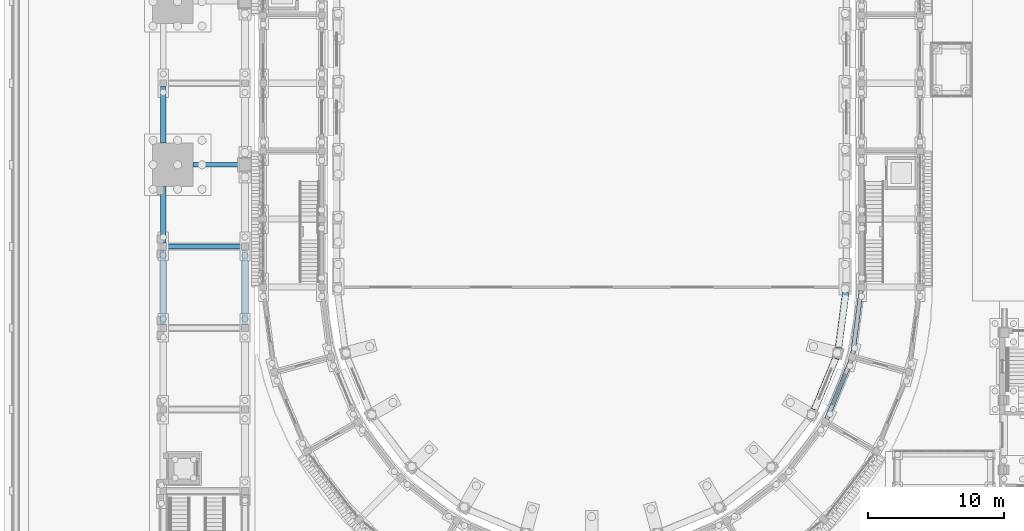
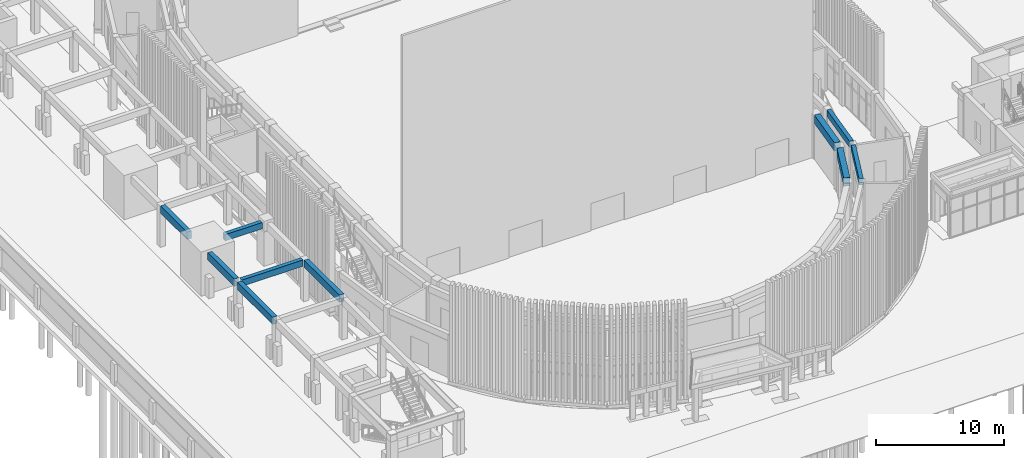
# One storey, part 18 of 112: 10 beams.
"""IFC4 building model written with IfcOpenShell, lengths in metres."""

import ifcopenshell
import ifcopenshell.guid

model = None  # the IFC model being written
_history = None  # IfcOwnerHistory: only IFC2X3 demands one
_inside = {}  # id of a spatial element -> (the spatial element, [elements in it])
_under = {}  # id of a project, library or spatial element -> (it, [spatial elements below it])
_declared = {}  # id of a project -> (the project, [libraries it declares])
_typed = {}  # id of a type object -> (the type object, [elements of that type])
_made_of = {}  # id of a material, layer set ... -> (it, [elements and type objects made of it])


def new_model(schema):
    """Start an empty IFC model of exactly this schema.

    Asked for "IFC4X3", IfcOpenShell would pick the latest addendum, in which some entities
    have other attributes; the version numbers below select the first issue.
    IFC2X3 requires an IfcOwnerHistory on every rooted entity: one is made here for all.
    """
    global model, _history
    if schema == "IFC4X3":
        model = ifcopenshell.file(schema_version=(4, 3, 0, 0))
    else:
        model = ifcopenshell.file(schema=schema)
    _inside.clear()
    _under.clear()
    _declared.clear()
    _typed.clear()
    _made_of.clear()
    _history = None
    if model.schema == "IFC2X3":
        org = make("IfcOrganization", Name="unknown")
        user = make(
            "IfcPersonAndOrganization",
            ThePerson=make("IfcPerson", FamilyName="unknown"),
            TheOrganization=org,
        )
        app = make(
            "IfcApplication",
            ApplicationDeveloper=org,
            Version="unknown",
            ApplicationFullName="unknown",
            ApplicationIdentifier="unknown",
        )
        _history = make(
            "IfcOwnerHistory",
            OwningUser=user,
            OwningApplication=app,
            ChangeAction="ADDED",
            CreationDate=0,
        )
    return model


def make(cls, **values):
    """One entity of the class cls with the attributes given. An attribute that is None is left unset."""
    return model.create_entity(
        cls, **{name: value for name, value in values.items() if value is not None}
    )


def rooted(cls, **values):
    """An entity with a GlobalId (a new one), such as an element, a storey or a relation."""
    return make(cls, GlobalId=ifcopenshell.guid.new(), OwnerHistory=_history, **values)


def si_unit(unit_type, name, prefix=None):
    """IfcSIUnit, for example si_unit("LENGTHUNIT", "METRE", prefix="MILLI")."""
    return make("IfcSIUnit", UnitType=unit_type, Prefix=prefix, Name=name)


def assignment(units):
    """IfcUnitAssignment: the units of a project."""
    return None if units is None else make("IfcUnitAssignment", Units=units)


def point(xyz):
    """IfcCartesianPoint."""
    return None if xyz is None else make("IfcCartesianPoint", Coordinates=xyz)


def direction(xyz):
    """IfcDirection."""
    return None if xyz is None else make("IfcDirection", DirectionRatios=xyz)


def frame(location, z_axis=None, x_axis=None):
    """IfcAxis2Placement3D, a coordinate frame: its origin and axes. An axis left out is left unset."""
    return make(
        "IfcAxis2Placement3D",
        Location=point(location),
        Axis=direction(z_axis),
        RefDirection=direction(x_axis),
    )


def frame_2d(location, x_axis=None):
    """IfcAxis2Placement2D, a coordinate frame in the plane: its origin and x axis."""
    return make(
        "IfcAxis2Placement2D", Location=point(location), RefDirection=direction(x_axis)
    )


def origin():
    """The frame at (0, 0, 0) with its axes left unset."""
    return frame((0.0, 0.0, 0.0))


def origin_2d():
    """The frame at (0, 0) in the plane with its x axis left unset."""
    return frame_2d((0.0, 0.0))


def place(relative_to, where):
    """IfcLocalPlacement: puts the frame where relative to a parent placement (None: the world)."""
    return make(
        "IfcLocalPlacement", PlacementRelTo=relative_to, RelativePlacement=where
    )


def context(
    kind, dimensions, precision=None, world=None, true_north=None, identifier=None
):
    """IfcGeometricRepresentationContext, for example the 3D "Model" context."""
    return make(
        "IfcGeometricRepresentationContext",
        ContextIdentifier=identifier,
        ContextType=kind,
        CoordinateSpaceDimension=dimensions,
        Precision=precision,
        WorldCoordinateSystem=world,
        TrueNorth=true_north,
    )


def subcontext(parent, identifier, kind, view, scale=None):
    """IfcGeometricRepresentationSubContext, for example "Body" below "Model"."""
    return make(
        "IfcGeometricRepresentationSubContext",
        ContextIdentifier=identifier,
        ContextType=kind,
        ParentContext=parent,
        TargetScale=scale,
        TargetView=view,
    )


def project(units=None, contexts=None):
    """IfcProject with its units and contexts."""
    return rooted(
        "IfcProject",
        Name="project",
        RepresentationContexts=contexts,
        UnitsInContext=assignment(units),
    )


def spatial(cls, under=None, at=None, **own):
    """A site, building, storey or space (cls), placed at a placement, below another one or the project."""
    s = rooted(cls, ObjectPlacement=at, **own)
    if under is not None:
        _under.setdefault(under.id(), (under, []))[1].append(s)
    return s


def profile(cls, at=None, kind="AREA", **sizes):
    """A parametric profile (cls). Its sizes go by their IFC names, for example OverallWidth=200.0."""
    return make(cls, ProfileType=kind, Position=at, **sizes)


def rectangle(**sizes):
    """IfcRectangleProfileDef."""
    return profile("IfcRectangleProfileDef", **sizes)


def extrude(swept, where, along, depth):
    """IfcExtrudedAreaSolid: the profile swept, set in the frame where, extruded along a direction by depth."""
    return make(
        "IfcExtrudedAreaSolid",
        SweptArea=swept,
        Position=where,
        ExtrudedDirection=direction(along),
        Depth=depth,
    )


def shape(context_of_items, identifier, shape_type, items):
    """IfcShapeRepresentation: the items that make up one representation, for example the "Body"."""
    return make(
        "IfcShapeRepresentation",
        ContextOfItems=context_of_items,
        RepresentationIdentifier=identifier,
        RepresentationType=shape_type,
        Items=items,
    )


def material(Name=None, Category=None):
    """IfcMaterial."""
    return make("IfcMaterial", Name=Name, Category=Category)


def material_profile(
    of_material, cross_section, Name=None, Category=None, Priority=None
):
    """IfcMaterialProfile: a cross section and its material."""
    return make(
        "IfcMaterialProfile",
        Name=Name,
        Material=of_material,
        Profile=cross_section,
        Priority=Priority,
        Category=Category,
    )


def profile_set(profiles, Name=None, composite=None):
    """IfcMaterialProfileSet."""
    return make(
        "IfcMaterialProfileSet",
        Name=Name,
        MaterialProfiles=profiles,
        CompositeProfile=composite,
    )


def made_of(thing, what):
    """Note that an element or type object is made of a material, layer set ...; save() writes the relation."""
    if what is not None:
        _made_of.setdefault(what.id(), (what, []))[1].append(thing)
    return thing


def type_object(cls, material=None, **own):
    """A type object (cls), such as IfcWallType, which elements share."""
    return made_of(rooted(cls, **own), material)


def element(
    cls,
    number,
    at=None,
    inside=None,
    cuts=None,
    type_object=None,
    material=None,
    context=None,
    identifier="Body",
    shape_type=None,
    held_by="IfcProductDefinitionShape",
    body=None,
    shapes=None,
    **own,
):
    """One element of the class cls, such as IfcWall. Its Tag is "e" and its number.

    at: its placement. inside: the storey or other place that contains it. cuts: it is an
    opening in that element (IfcRelVoidsElement). A single representation is given by context,
    identifier, shape_type and body (its items); several are given by shapes. held_by: the class
    of the entity that holds the representations. save() writes the other relations.
    """
    e = rooted(cls, Tag="e%d" % number, ObjectPlacement=at, **own)
    if body is not None:
        shapes = [shape(context, identifier, shape_type, body)]
    if shapes is not None:
        e.Representation = make(held_by, Representations=shapes)
    if inside is not None:
        _inside.setdefault(inside.id(), (inside, []))[1].append(e)
    if cuts is not None:
        rooted(
            "IfcRelVoidsElement", RelatingBuildingElement=cuts, RelatedOpeningElement=e
        )
    if type_object is not None:
        _typed.setdefault(type_object.id(), (type_object, []))[1].append(e)
    return made_of(e, material)


def aggregate(whole, parts):
    """IfcRelAggregates: a whole, such as a stair, and the parts it consists of."""
    return rooted("IfcRelAggregates", RelatingObject=whole, RelatedObjects=parts)


def save(model, path):
    """Write the relations noted so far, then the file.

    IfcRelAggregates (storeys below a building ...), IfcRelContainedInSpatialStructure (elements
    in a storey), IfcRelDefinesByType, IfcRelAssociatesMaterial and IfcRelDeclares: one each for
    every whole, place, type object, material and project.
    """
    for whole, parts in _under.values():
        aggregate(whole, parts)
    for where, things in _inside.values():
        rooted(
            "IfcRelContainedInSpatialStructure",
            RelatedElements=things,
            RelatingStructure=where,
        )
    for kind, things in _typed.values():
        rooted("IfcRelDefinesByType", RelatedObjects=things, RelatingType=kind)
    for what, things in _made_of.values():
        rooted("IfcRelAssociatesMaterial", RelatedObjects=things, RelatingMaterial=what)
    for by, libraries in _declared.values():
        rooted("IfcRelDeclares", RelatingContext=by, RelatedDefinitions=libraries)
    model.write(path)


model = new_model("IFC4")

# Units and contexts
model_context = context("Model", 3, precision=1e-05, world=origin(), true_north=direction((0.0, 1.0)))
body_context = subcontext(model_context, "Body", "Model", "MODEL_VIEW")
ifc_project = project(units=[si_unit("LENGTHUNIT", "METRE"), si_unit("AREAUNIT", "SQUARE_METRE"), si_unit("VOLUMEUNIT", "CUBIC_METRE"), si_unit("PLANEANGLEUNIT", "RADIAN"), si_unit("MASSUNIT", "GRAM", prefix="KILO")], contexts=[model_context])

# Site, building, storey
site_placement = place(None, origin())
site = spatial("IfcSite", under=ifc_project, at=site_placement, CompositionType="ELEMENT")
building_placement = place(site_placement, origin())
building = spatial("IfcBuilding", under=site, at=building_placement, Name="Wasatch Bagh Community Centre", CompositionType="ELEMENT")
storey_placement = place(building_placement, origin())
storey = spatial("IfcBuildingStorey", under=building, at=storey_placement, Name="L00", CompositionType="ELEMENT", Elevation=0.0)

# Beams
ifc_material = material(Name="Concrete C35", Category="concrete")
ifc_material_profile_1 = material_profile(ifc_material, rectangle(XDim=0.39990234375, YDim=0.699951171875, at=origin_2d()), Name="RC 400x700")
ifc_profile_set_1 = profile_set([ifc_material_profile_1], Name="Concrete C35")
beam_type_1 = type_object("IfcBeamType", Name="CT-B1", PredefinedType="BEAM", material=ifc_profile_set_1)
beam_1_placement = place(storey_placement, frame((4.5, 32.25, 3.60009765625), z_axis=(0.0, 1.0, 0.0), x_axis=(-1.0, 0.0, 0.0)))
element("IfcBeam", 1, at=beam_1_placement, inside=storey, type_object=beam_type_1, Name="CT.beam.L00.004", PredefinedType="BEAM", context=body_context, shape_type="SweptSolid", body=[
    extrude(rectangle(XDim=0.39990234375, YDim=0.699951171875, at=origin_2d()), origin(), (0.0, 0.0, 1.0), 5.5),
])
for number, where, z_axis, x_axis, name in (
    (2, (4.5, 38.25, 3.60009765625), (0.0, 1.0, 0.0), (-1.0, 0.0, 0.0), "CT.beam.L00.005"),
    (3, (4.5, 45.60009765625, 3.60009765625), (0.0, 1.0, 0.0), (-1.0, 0.0, 0.0), "CT.beam.L00.006"),
):
    element("IfcBeam", number, at=place(storey_placement, frame(where, z_axis=z_axis, x_axis=x_axis)), inside=storey, type_object=beam_type_1, Name=name, PredefinedType="BEAM", context=body_context, shape_type="SweptSolid", body=[
        extrude(rectangle(XDim=0.39990234375, YDim=0.699951171875, at=origin_2d()), origin(), (0.0, 0.0, 1.0), 4.14990234375),
    ])
beam_2_placement = place(storey_placement, frame((10.5, 32.25, 3.60009765625), z_axis=(0.0, 1.0, 0.0), x_axis=(-1.0, 0.0, 0.0)))
element("IfcBeam", 4, at=beam_2_placement, inside=storey, type_object=beam_type_1, Name="CT.beam.L00.016", PredefinedType="BEAM", context=body_context, shape_type="SweptSolid", body=[
    extrude(rectangle(XDim=0.39990234375, YDim=0.699951171875, at=origin_2d()), origin(), (0.0, 0.0, 1.0), 5.5),
])
ifc_material_profile_2 = material_profile(ifc_material, rectangle(XDim=0.35009765625, YDim=0.60009765625, at=origin_2d()), Name="RC 350x600")
ifc_profile_set_2 = profile_set([ifc_material_profile_2], Name="Concrete C35")
beam_type_2 = type_object("IfcBeamType", Name="CT-B2", PredefinedType="BEAM", material=ifc_profile_set_2)
beam_3_placement = place(storey_placement, frame((4.75, 38.0, 3.64990234375), z_axis=(1.0, 0.0, 0.0), x_axis=(0.0, 1.0, 0.0)))
element("IfcBeam", 5, at=beam_3_placement, inside=storey, type_object=beam_type_2, Name="CT.beam.L00.X030", PredefinedType="BEAM", context=body_context, shape_type="SweptSolid", body=[
    extrude(rectangle(XDim=0.35009765625, YDim=0.60009765625, at=origin_2d()), origin(), (0.0, 0.0, 1.0), 5.5),
])
beam_4_placement = place(storey_placement, frame((6.699951171875, 44.0, 3.64990234375), z_axis=(1.0, 0.0, 0.0), x_axis=(0.0, 1.0, 0.0)))
element("IfcBeam", 6, at=beam_4_placement, inside=storey, type_object=beam_type_2, Name="CT.beam.L00.X031", PredefinedType="BEAM", context=body_context, shape_type="SweptSolid", body=[
    extrude(rectangle(XDim=0.35009765625, YDim=0.60009765625, at=origin_2d()), origin(), (0.0, 0.0, 1.0), 3.35009765625),
])
ifc_material_profile_3 = material_profile(ifc_material, rectangle(XDim=0.35009765625, YDim=0.60009765625, at=origin_2d()), Name="RC 350x600")
ifc_profile_set_3 = profile_set([ifc_material_profile_3], Name="Concrete C35")
beam_type_3 = type_object("IfcBeamType", Name="Drum ring beam RC 350x600", PredefinedType="BEAM", material=ifc_profile_set_3)
beam_5_placement = place(storey_placement, frame((53.296142578125, 25.32958984375, 3.89990234375), z_axis=(0.382671540178, 0.923884458327, 0.0), x_axis=(-0.923884458327, 0.382671540178, 0.0)))
element("IfcBeam", 7, at=beam_5_placement, inside=storey, type_object=beam_type_3, Name="Ring beam 4.2 DI-S10-DI-S11", PredefinedType="BEAM", context=body_context, shape_type="SweptSolid", body=[
    extrude(rectangle(XDim=0.35009765625, YDim=0.60009765625, at=origin_2d()), origin(), (0.0, 0.0, 1.0), 4.630615234375),
])
beam_6_placement = place(storey_placement, frame((55.209716796875, 30.1357421875, 3.89990234375), z_axis=(0.130495429401, 0.99144891089, 0.0), x_axis=(-0.99144891089, 0.130495429401, 0.0)))
element("IfcBeam", 8, at=beam_6_placement, inside=storey, type_object=beam_type_3, Name="Ring beam 4.2 DI-S11-DI-E1", PredefinedType="BEAM", context=body_context, shape_type="SweptSolid", body=[
    extrude(rectangle(XDim=0.35009765625, YDim=0.60009765625, at=origin_2d()), origin(), (0.0, 0.0, 1.0), 4.63037109375),
])
ifc_material_profile_4 = material_profile(ifc_material, rectangle(XDim=0.5, YDim=0.800048828125, at=origin_2d()), Name="RC 500x800")
ifc_profile_set_4 = profile_set([ifc_material_profile_4], Name="Concrete C35")
beam_type_4 = type_object("IfcBeamType", Name="MH ring beam RC 500x800", PredefinedType="BEAM", material=ifc_profile_set_4)
for number, where, z_axis, x_axis, name in (
    (9, (52.3857421875, 25.98193359375, 3.800048828125), (0.382688328955, 0.923877504262, 0.0), (-0.923877504262, 0.382688328955, 0.0), "Ring beam 4.2 S10-S11"),
    (10, (54.16162109375, 30.5302734375, 3.800048828125), (0.130483623501, 0.991450464722, 0.0), (-0.991450464722, 0.130483623501, 0.0), "Ring beam 4.2 S11-E1"),
):
    element("IfcBeam", number, at=place(storey_placement, frame(where, z_axis=z_axis, x_axis=x_axis)), inside=storey, type_object=beam_type_4, Name=name, PredefinedType="BEAM", context=body_context, shape_type="SweptSolid", body=[
        extrude(rectangle(XDim=0.5, YDim=0.800048828125, at=origin_2d()), origin(), (0.0, 0.0, 1.0), 4.121826171875),
    ])

save(model, "model.ifc")
